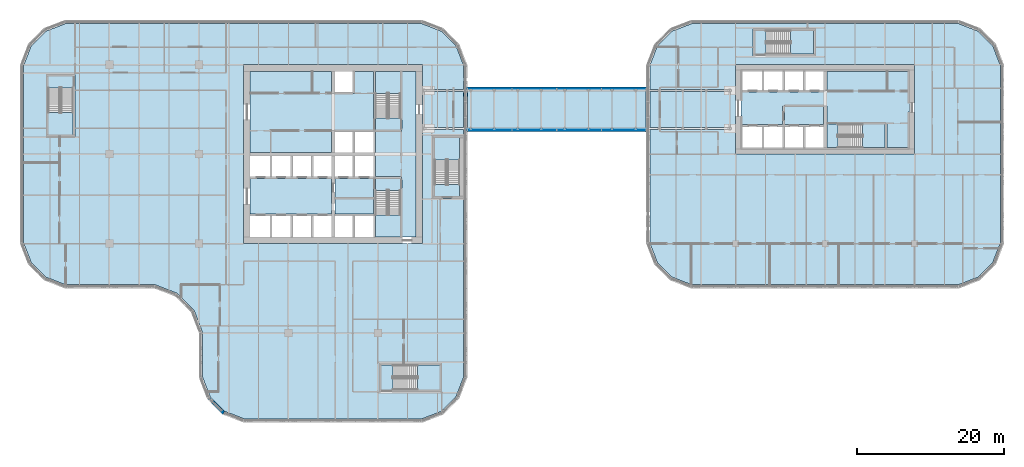
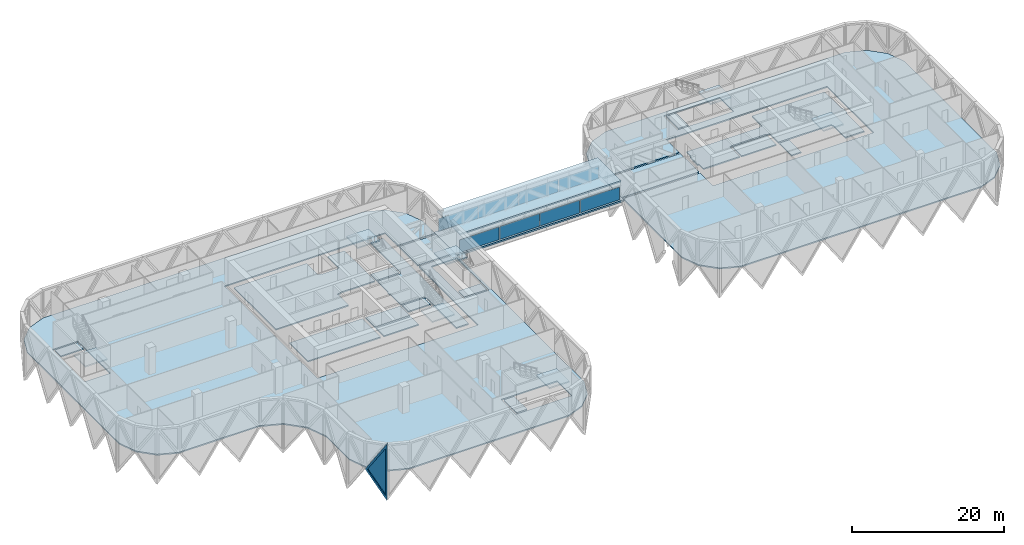
# One storey, part 8 of 30: 27 slabs, 9 plates, 1 wall, 1 opening, 15 elements without a shape of their own.
"""IFC4 building model written with IfcOpenShell, lengths in metres."""

from ifc_helpers import new_model, si_unit, direction, frame, origin, origin_2d, place, context, subcontext, project, spatial, polyline, rectangle, outline, extrude, faceted_brep, source, transform, mapped, material, layer, layer_set, type_object, element, fill, aggregate, save


model = new_model("IFC4")

# Units and contexts
model_context = context("Model", 3, precision=1e-05, world=origin(), true_north=direction((0.0, 1.0)))
body_context = subcontext(model_context, "Body", "Model", "MODEL_VIEW")
ifc_project = project(units=[si_unit("LENGTHUNIT", "METRE"), si_unit("AREAUNIT", "SQUARE_METRE"), si_unit("VOLUMEUNIT", "CUBIC_METRE"), si_unit("PLANEANGLEUNIT", "RADIAN"), si_unit("MASSUNIT", "GRAM", prefix="KILO")], contexts=[model_context])

# Site, building, storey
site_placement = place(None, origin())
site = spatial("IfcSite", under=ifc_project, at=site_placement, CompositionType="ELEMENT")
building_placement = place(site_placement, origin())
building = spatial("IfcBuilding", under=site, at=building_placement, Name="Tessera Gate Towers", CompositionType="ELEMENT")
storey_placement = place(building_placement, frame((0.0, 0.0, 21.300048828125)))
storey = spatial("IfcBuildingStorey", under=building, at=storey_placement, Name="L04", CompositionType="ELEMENT", Elevation=21.300048828125)

# Slabs
ifc_material_1 = material(Name="Concrete C35/45", Category="concrete")
ifc_layer_1 = layer(ifc_material_1, 0.25)
ifc_layer_set_1 = layer_set([ifc_layer_1], Name="BRIDGE ROOF 250")
slab_type_1 = type_object("IfcSlabType", Name="BRIDGE ROOF 250", PredefinedType="ROOF", material=ifc_layer_set_1)
slab_1_placement = place(storey_placement, frame((0.0, 0.0, 3.00390625)))
element("IfcSlab", 1, at=slab_1_placement, inside=storey, type_object=slab_type_1, Name="Bridge roof BR1", PredefinedType="ROOF", context=body_context, shape_type="SweptSolid", body=[
    extrude(outline(polyline([(61.0, 39.64990234375), (85.39990234375, 39.64990234375), (85.39990234375, 45.75), (61.0, 45.75), (61.0, 39.64990234375)])), origin(), (0.0, 0.0, 1.0), 0.25),
])
ifc_material_2 = material(Name="Concrete C35/45", Category="concrete")
ifc_layer_2 = layer(ifc_material_2, 0.199951171875)
ifc_layer_set_2 = layer_set([ifc_layer_2], Name="COMPOSITE FLOOR 200")
slab_type_2 = type_object("IfcSlabType", Name="COMPOSITE FLOOR 200", PredefinedType="FLOOR", material=ifc_layer_set_2)
slab_2_placement = place(storey_placement, frame((0.0, 0.0, -0.199951171875)))
element("IfcSlab", 2, at=slab_2_placement, inside=storey, type_object=slab_type_2, Name="T1-L04", PredefinedType="FLOOR", context=body_context, shape_type="SweptSolid", body=[
    extrude(outline(polyline([(0.5, 24.4931640625), (1.526123046875, 21.8330078125), (3.533203125, 19.826171875), (6.193115234375, 18.800048828125), (18.39306640625, 18.800048828125), (21.42431640625, 17.630615234375), (23.730712890625, 15.32421875), (24.89990234375, 12.293212890625), (24.89990234375, 6.193115234375), (25.926025390625, 3.533203125), (27.93310546875, 1.526123046875), (30.593017578125, 0.5), (54.806884765625, 0.5), (57.466796875, 1.526123046875), (59.473876953125, 3.533203125), (60.5, 6.193115234375), (60.5, 39.948974609375), (54.89990234375, 39.948974609375), (54.89990234375, 24.39990234375), (30.5, 24.39990234375), (30.5, 48.800048828125), (54.89990234375, 48.800048828125), (54.89990234375, 45.450927734375), (60.5, 45.450927734375), (60.5, 48.706787109375), (59.473876953125, 51.366943359375), (57.466796875, 53.373779296875), (54.806884765625, 54.39990234375), (6.193115234375, 54.39990234375), (3.533203125, 53.373779296875), (1.526123046875, 51.366943359375), (0.5, 48.706787109375), (0.5, 24.4931640625)]), holes=[polyline([(3.60009765625, 39.0), (3.60009765625, 47.5), (7.5, 47.5), (7.5, 39.0), (3.60009765625, 39.0)]), polyline([(49.0, 4.199951171875), (49.0, 8.10009765625), (57.5, 8.10009765625), (57.5, 4.199951171875), (49.0, 4.199951171875)]), polyline([(56.300048828125, 30.60009765625), (56.300048828125, 39.10009765625), (60.199951171875, 39.10009765625), (60.199951171875, 30.60009765625), (56.300048828125, 30.60009765625)])]), origin(), (0.0, 0.0, 1.0), 0.199951171875),
])
slab_3_placement = place(storey_placement, frame((0.0, 0.0, -0.199951171875)))
element("IfcSlab", 3, at=slab_3_placement, inside=storey, type_object=slab_type_2, Name="T1-L04-B1", PredefinedType="FLOOR", context=body_context, shape_type="SweptSolid", body=[
    extrude(outline(polyline([(54.89990234375, 40.2509765625), (60.5, 40.2509765625), (60.5, 45.14892578125), (54.89990234375, 45.14892578125), (54.89990234375, 40.2509765625)])), origin(), (0.0, 0.0, 1.0), 0.199951171875),
])
slab_4_placement = place(storey_placement, frame((0.0, 0.0, -0.199951171875)))
element("IfcSlab", 4, at=slab_4_placement, inside=storey, type_object=slab_type_2, Name="T2-L04", PredefinedType="FLOOR", context=body_context, shape_type="SweptSolid", body=[
    extrude(outline(polyline([(85.89990234375, 24.4931640625), (86.926025390625, 21.8330078125), (88.93310546875, 19.826171875), (91.593017578125, 18.800048828125), (128.0068359375, 18.800048828125), (130.6669921875, 19.826171875), (132.673828125, 21.8330078125), (133.699951171875, 24.4931640625), (133.699951171875, 48.706787109375), (132.673828125, 51.366943359375), (130.6669921875, 53.373779296875), (128.0068359375, 54.39990234375), (91.593017578125, 54.39990234375), (88.93310546875, 53.373779296875), (86.926025390625, 51.366943359375), (85.89990234375, 48.706787109375), (85.89990234375, 45.450927734375), (97.60009765625, 45.450927734375), (97.60009765625, 48.800048828125), (122.0, 48.800048828125), (122.0, 36.60009765625), (97.60009765625, 36.60009765625), (97.60009765625, 39.948974609375), (85.89990234375, 39.948974609375), (85.89990234375, 24.4931640625)]), holes=[polyline([(100.0, 50.0), (100.0, 53.699951171875), (108.5, 53.699951171875), (108.5, 50.0), (100.0, 50.0)])]), origin(), (0.0, 0.0, 1.0), 0.199951171875),
])
slab_5_placement = place(storey_placement, frame((0.0, 0.0, -0.199951171875)))
element("IfcSlab", 5, at=slab_5_placement, inside=storey, type_object=slab_type_2, Name="T2-L04-B1", PredefinedType="FLOOR", context=body_context, shape_type="SweptSolid", body=[
    extrude(outline(polyline([(85.89990234375, 40.2509765625), (97.60009765625, 40.2509765625), (97.60009765625, 45.14892578125), (85.89990234375, 45.14892578125), (85.89990234375, 40.2509765625)])), origin(), (0.0, 0.0, 1.0), 0.199951171875),
])
ifc_material_3 = material(Name="Concrete C35/45", Category="concrete")
ifc_layer_3 = layer(ifc_material_3, 0.25)
ifc_layer_set_3 = layer_set([ifc_layer_3], Name="COMPOSITE FLOOR 250")
slab_type_3 = type_object("IfcSlabType", Name="COMPOSITE FLOOR 250", PredefinedType="FLOOR", material=ifc_layer_set_3)
slab_6_placement = place(storey_placement, frame((0.0, 0.0, -0.25)))
element("IfcSlab", 6, at=slab_6_placement, inside=storey, type_object=slab_type_3, Name="BR1 bridge deck", PredefinedType="FLOOR", context=body_context, shape_type="SweptSolid", body=[
    extrude(outline(polyline([(60.5, 39.64990234375), (85.89990234375, 39.64990234375), (85.89990234375, 45.75), (60.5, 45.75), (60.5, 39.64990234375)])), origin(), (0.0, 0.0, 1.0), 0.25),
])
ifc_material_4 = material(Name="Concrete C35/45", Category="concrete")
ifc_layer_4 = layer(ifc_material_4, 0.199951171875)
ifc_layer_set_4 = layer_set([ifc_layer_4], Name="CORE FLOOR SLAB 200")
slab_type_4 = type_object("IfcSlabType", Name="CORE FLOOR SLAB 200", PredefinedType="FLOOR", material=ifc_layer_set_4)
slab_7_placement = place(storey_placement, frame((0.0, 0.0, -0.199951171875)))
element("IfcSlab", 7, at=slab_7_placement, inside=storey, type_object=slab_type_4, Name="L04 core floor slab", PredefinedType="FLOOR", context=body_context, shape_type="SweptSolid", body=[
    extrude(outline(polyline([(31.39990234375, 47.89990234375), (31.39990234375, 36.85009765625), (42.449951171875, 36.85009765625), (42.449951171875, 39.800048828125), (42.949951171875, 39.800048828125), (42.949951171875, 39.925048828125), (48.22509765625, 39.925048828125), (48.22509765625, 47.89990234375), (45.64990234375, 47.89990234375), (45.64990234375, 44.89990234375), (45.39990234375, 44.89990234375), (45.39990234375, 44.77490234375), (42.949951171875, 44.77490234375), (42.949951171875, 44.89990234375), (42.449951171875, 44.89990234375), (42.449951171875, 47.89990234375), (31.39990234375, 47.89990234375)])), origin(), (0.0, 0.0, 1.0), 0.199951171875),
])
slab_8_placement = place(storey_placement, frame((0.0, 0.0, -0.199951171875)))
element("IfcSlab", 8, at=slab_8_placement, inside=storey, type_object=slab_type_4, Name="L04 core floor slab", PredefinedType="FLOOR", context=body_context, shape_type="SweptSolid", body=[
    extrude(outline(polyline([(48.35009765625, 36.85009765625), (48.35009765625, 36.35009765625), (48.47509765625, 36.35009765625), (48.47509765625, 33.52490234375), (52.0, 33.52490234375), (52.0, 33.27490234375), (52.125, 33.27490234375), (52.125, 25.300048828125), (54.0, 25.300048828125), (54.0, 47.89990234375), (52.125, 47.89990234375), (52.125, 39.925048828125), (52.0, 39.925048828125), (52.0, 39.675048828125), (48.47509765625, 39.675048828125), (48.47509765625, 36.85009765625), (48.35009765625, 36.85009765625)])), origin(), (0.0, 0.0, 1.0), 0.199951171875),
])
slab_9_placement = place(storey_placement, frame((0.0, 0.0, -0.199951171875)))
element("IfcSlab", 9, at=slab_9_placement, inside=storey, type_object=slab_type_4, Name="L04 core floor slab", PredefinedType="FLOOR", context=body_context, shape_type="SweptSolid", body=[
    extrude(outline(polyline([(42.449951171875, 28.425048828125), (42.449951171875, 33.27490234375), (31.39990234375, 33.27490234375), (31.39990234375, 28.425048828125), (42.449951171875, 28.425048828125)])), origin(), (0.0, 0.0, 1.0), 0.199951171875),
])
slab_10_placement = place(storey_placement, frame((0.0, 0.0, -0.199951171875)))
element("IfcSlab", 10, at=slab_10_placement, inside=storey, type_object=slab_type_4, Name="L04 core floor slab", PredefinedType="FLOOR", context=body_context, shape_type="SweptSolid", body=[
    extrude(outline(polyline([(42.949951171875, 33.27490234375), (42.949951171875, 30.72509765625), (48.22509765625, 30.72509765625), (48.22509765625, 33.27490234375), (42.949951171875, 33.27490234375)])), origin(), (0.0, 0.0, 1.0), 0.199951171875),
])
slab_11_placement = place(storey_placement, frame((0.0, 0.0, -0.199951171875)))
element("IfcSlab", 11, at=slab_11_placement, inside=storey, type_object=slab_type_4, Name="L04 core floor slab", PredefinedType="FLOOR", context=body_context, shape_type="SweptSolid", body=[
    extrude(outline(polyline([(42.949951171875, 30.47509765625), (42.949951171875, 28.425048828125), (48.22509765625, 28.425048828125), (48.22509765625, 30.47509765625), (42.949951171875, 30.47509765625)])), origin(), (0.0, 0.0, 1.0), 0.199951171875),
])
slab_12_placement = place(storey_placement, frame((0.0, 0.0, -0.199951171875)))
element("IfcSlab", 12, at=slab_12_placement, inside=storey, type_object=slab_type_4, Name="L04 core floor slab", PredefinedType="FLOOR", context=body_context, shape_type="SweptSolid", body=[
    extrude(outline(polyline([(51.875, 31.675048828125), (51.875, 33.27490234375), (48.47509765625, 33.27490234375), (48.47509765625, 31.675048828125), (51.875, 31.675048828125)])), origin(), (0.0, 0.0, 1.0), 0.199951171875),
])
slab_13_placement = place(storey_placement, frame((0.0, 0.0, -0.199951171875)))
element("IfcSlab", 13, at=slab_13_placement, inside=storey, type_object=slab_type_4, Name="L04 core floor slab", PredefinedType="FLOOR", context=body_context, shape_type="SweptSolid", body=[
    extrude(outline(polyline([(48.47509765625, 41.52490234375), (48.47509765625, 39.925048828125), (51.875, 39.925048828125), (51.875, 41.52490234375), (48.47509765625, 41.52490234375)])), origin(), (0.0, 0.0, 1.0), 0.199951171875),
])
slab_14_placement = place(storey_placement, frame((0.0, 0.0, -0.199951171875)))
element("IfcSlab", 14, at=slab_14_placement, inside=storey, type_object=slab_type_4, Name="L04 ST3 floor landing", PredefinedType="FLOOR", context=body_context, shape_type="SweptSolid", body=[
    extrude(outline(polyline([(3.85009765625, 47.25), (3.85009765625, 45.64990234375), (7.25, 45.64990234375), (7.25, 47.25), (3.85009765625, 47.25)])), origin(), (0.0, 0.0, 1.0), 0.199951171875),
])
slab_15_placement = place(storey_placement, frame((0.0, 0.0, -0.199951171875)))
element("IfcSlab", 15, at=slab_15_placement, inside=storey, type_object=slab_type_4, Name="L04 ST4 floor landing", PredefinedType="FLOOR", context=body_context, shape_type="SweptSolid", body=[
    extrude(outline(polyline([(49.25, 4.449951171875), (50.85009765625, 4.449951171875), (50.85009765625, 7.85009765625), (49.25, 7.85009765625), (49.25, 4.449951171875)])), origin(), (0.0, 0.0, 1.0), 0.199951171875),
])
slab_16_placement = place(storey_placement, frame((0.0, 0.0, -0.199951171875)))
element("IfcSlab", 16, at=slab_16_placement, inside=storey, type_object=slab_type_4, Name="L04 ST5 floor landing", PredefinedType="FLOOR", context=body_context, shape_type="SweptSolid", body=[
    extrude(outline(polyline([(59.949951171875, 30.85009765625), (59.949951171875, 32.449951171875), (56.550048828125, 32.449951171875), (56.550048828125, 30.85009765625), (59.949951171875, 30.85009765625)])), origin(), (0.0, 0.0, 1.0), 0.199951171875),
])
slab_17_placement = place(storey_placement, frame((0.0, 0.0, -0.199951171875)))
element("IfcSlab", 17, at=slab_17_placement, inside=storey, type_object=slab_type_4, Name="L04 core floor slab", PredefinedType="FLOOR", context=body_context, shape_type="SweptSolid", body=[
    extrude(outline(polyline([(109.550048828125, 45.199951171875), (109.550048828125, 45.074951171875), (98.5, 45.074951171875), (98.5, 43.89990234375), (98.300048828125, 43.89990234375), (98.300048828125, 41.800048828125), (98.5, 41.800048828125), (98.5, 40.625), (104.02490234375, 40.625), (104.02490234375, 43.199951171875), (104.27490234375, 43.199951171875), (104.27490234375, 43.324951171875), (109.550048828125, 43.324951171875), (109.550048828125, 43.199951171875), (110.050048828125, 43.199951171875), (110.050048828125, 40.949951171875), (118.10009765625, 40.949951171875), (118.10009765625, 40.699951171875), (118.22509765625, 40.699951171875), (118.22509765625, 37.5), (121.10009765625, 37.5), (121.10009765625, 42.35009765625), (121.300048828125, 42.35009765625), (121.300048828125, 43.550048828125), (121.10009765625, 43.550048828125), (121.10009765625, 47.89990234375), (110.050048828125, 47.89990234375), (110.050048828125, 45.199951171875), (109.550048828125, 45.199951171875)])), origin(), (0.0, 0.0, 1.0), 0.199951171875),
])
slab_18_placement = place(storey_placement, frame((0.0, 0.0, -0.199951171875)))
element("IfcSlab", 18, at=slab_18_placement, inside=storey, type_object=slab_type_4, Name="L04 core floor slab", PredefinedType="FLOOR", context=body_context, shape_type="SweptSolid", body=[
    extrude(outline(polyline([(109.550048828125, 43.074951171875), (104.27490234375, 43.074951171875), (104.27490234375, 40.625), (109.550048828125, 40.625), (109.550048828125, 43.074951171875)])), origin(), (0.0, 0.0, 1.0), 0.199951171875),
])
slab_19_placement = place(storey_placement, frame((0.0, 0.0, -0.199951171875)))
element("IfcSlab", 19, at=slab_19_placement, inside=storey, type_object=slab_type_4, Name="L04 core floor slab", PredefinedType="FLOOR", context=body_context, shape_type="SweptSolid", body=[
    extrude(outline(polyline([(111.550048828125, 37.5), (111.550048828125, 40.699951171875), (110.050048828125, 40.699951171875), (110.050048828125, 37.5), (111.550048828125, 37.5)])), origin(), (0.0, 0.0, 1.0), 0.199951171875),
])
slab_20_placement = place(storey_placement, frame((0.0, 0.0, -0.199951171875)))
element("IfcSlab", 20, at=slab_20_placement, inside=storey, type_object=slab_type_4, Name="L04 ST7 floor landing", PredefinedType="FLOOR", context=body_context, shape_type="SweptSolid", body=[
    extrude(outline(polyline([(100.25, 50.25), (101.75, 50.25), (101.75, 53.449951171875), (100.25, 53.449951171875), (100.25, 50.25)])), origin(), (0.0, 0.0, 1.0), 0.199951171875),
])

# Stair, slab
ifc_material_5 = material(Name="Concrete C40/50", Category="concrete")
stair_type_1 = type_object("IfcStairType", Name="EXIT STAIR ST1B 1600", PredefinedType="HALF_TURN_STAIR", material=ifc_material_5)
stair_1_placement = place(storey_placement, origin())
stair_1 = element("IfcStair", 21, at=stair_1_placement, inside=storey, type_object=stair_type_1, Name="L04 Protected Exit Stair ST1", PredefinedType="HALF_TURN_STAIR")
ifc_material_6 = material(Name="Concrete C40/50", Category="concrete")
ifc_layer_5 = layer(ifc_material_6, 0.199951171875)
ifc_layer_set_5 = layer_set([ifc_layer_5], Name="EXIT STAIR LANDING 200")
slab_type_5 = type_object("IfcSlabType", Name="EXIT STAIR LANDING 200", PredefinedType="LANDING", material=ifc_layer_set_5)
slab_21_placement = place(storey_placement, frame((0.0, 0.0, 2.050048828125)))
slab_21 = element("IfcSlab", 22, at=slab_21_placement, type_object=slab_type_5, Name="ST1 landing 1", PredefinedType="LANDING", context=body_context, shape_type="SweptSolid", body=[
    extrude(outline(polyline([(48.47509765625, 28.31494140625), (48.47509765625, 25.300048828125), (51.875, 25.300048828125), (51.875, 28.31494140625), (48.47509765625, 28.31494140625)])), origin(), (0.0, 0.0, 1.0), 0.199951171875),
])
aggregate(stair_1, [slab_21])

ifc_material_7 = material(Name="Concrete C40/50", Category="concrete")
stair_type_2 = type_object("IfcStairType", Name="EXIT STAIR ST2B 1600", PredefinedType="HALF_TURN_STAIR", material=ifc_material_7)
stair_2_placement = place(storey_placement, origin())
stair_2 = element("IfcStair", 23, at=stair_2_placement, inside=storey, type_object=stair_type_2, Name="L04 Protected Exit Stair ST2", PredefinedType="HALF_TURN_STAIR")
slab_22_placement = place(storey_placement, frame((0.0, 0.0, 2.050048828125)))
slab_22 = element("IfcSlab", 24, at=slab_22_placement, type_object=slab_type_5, Name="ST2 landing 1", PredefinedType="LANDING", context=body_context, shape_type="SweptSolid", body=[
    extrude(outline(polyline([(51.875, 44.885009765625), (51.875, 47.89990234375), (48.47509765625, 47.89990234375), (48.47509765625, 44.885009765625), (51.875, 44.885009765625)])), origin(), (0.0, 0.0, 1.0), 0.199951171875),
])
aggregate(stair_2, [slab_22])

ifc_material_8 = material(Name="Concrete C40/50", Category="concrete")
stair_type_3 = type_object("IfcStairType", Name="EXIT STAIR ST3B 1600", PredefinedType="HALF_TURN_STAIR", material=ifc_material_8)
stair_3_placement = place(storey_placement, origin())
stair_3 = element("IfcStair", 25, at=stair_3_placement, inside=storey, type_object=stair_type_3, Name="L04 West Exit Stair ST3", PredefinedType="HALF_TURN_STAIR")
slab_23_placement = place(storey_placement, frame((0.0, 0.0, 2.050048828125)))
slab_23 = element("IfcSlab", 26, at=slab_23_placement, type_object=slab_type_5, Name="ST3 landing 1", PredefinedType="LANDING", context=body_context, shape_type="SweptSolid", body=[
    extrude(outline(polyline([(3.85009765625, 42.2900390625), (3.85009765625, 39.25), (7.25, 39.25), (7.25, 42.2900390625), (3.85009765625, 42.2900390625)])), origin(), (0.0, 0.0, 1.0), 0.199951171875),
])
aggregate(stair_3, [slab_23])

ifc_material_9 = material(Name="Concrete C40/50", Category="concrete")
stair_type_4 = type_object("IfcStairType", Name="EXIT STAIR ST4B 1600", PredefinedType="HALF_TURN_STAIR", material=ifc_material_9)
stair_4_placement = place(storey_placement, origin())
stair_4 = element("IfcStair", 27, at=stair_4_placement, inside=storey, type_object=stair_type_4, Name="L04 South Exit Stair ST4", PredefinedType="HALF_TURN_STAIR")
slab_24_placement = place(storey_placement, frame((0.0, 0.0, 2.050048828125)))
slab_24 = element("IfcSlab", 28, at=slab_24_placement, type_object=slab_type_5, Name="ST4 landing 1", PredefinedType="LANDING", context=body_context, shape_type="SweptSolid", body=[
    extrude(outline(polyline([(54.2099609375, 4.449951171875), (57.25, 4.449951171875), (57.25, 7.85009765625), (54.2099609375, 7.85009765625), (54.2099609375, 4.449951171875)])), origin(), (0.0, 0.0, 1.0), 0.199951171875),
])
aggregate(stair_4, [slab_24])

ifc_material_10 = material(Name="Concrete C40/50", Category="concrete")
stair_type_5 = type_object("IfcStairType", Name="EXIT STAIR ST5B 1600", PredefinedType="HALF_TURN_STAIR", material=ifc_material_10)
stair_5_placement = place(storey_placement, origin())
stair_5 = element("IfcStair", 29, at=stair_5_placement, inside=storey, type_object=stair_type_5, Name="L04 East Exit Stair ST5", PredefinedType="HALF_TURN_STAIR")
slab_25_placement = place(storey_placement, frame((0.0, 0.0, 2.050048828125)))
slab_25 = element("IfcSlab", 30, at=slab_25_placement, type_object=slab_type_5, Name="ST5 landing 1", PredefinedType="LANDING", context=body_context, shape_type="SweptSolid", body=[
    extrude(outline(polyline([(59.949951171875, 35.81005859375), (59.949951171875, 38.85009765625), (56.550048828125, 38.85009765625), (56.550048828125, 35.81005859375), (59.949951171875, 35.81005859375)])), origin(), (0.0, 0.0, 1.0), 0.199951171875),
])
aggregate(stair_5, [slab_25])

ifc_material_11 = material(Name="Concrete C40/50", Category="concrete")
stair_type_6 = type_object("IfcStairType", Name="EXIT STAIR ST6B 1500", PredefinedType="HALF_TURN_STAIR", material=ifc_material_11)
stair_6_placement = place(storey_placement, origin())
stair_6 = element("IfcStair", 31, at=stair_6_placement, inside=storey, type_object=stair_type_6, Name="L04 Protected Exit Stair ST6", PredefinedType="HALF_TURN_STAIR")
slab_26_placement = place(storey_placement, frame((0.0, 0.0, 2.050048828125)))
slab_26 = element("IfcSlab", 32, at=slab_26_placement, type_object=slab_type_5, Name="ST6 landing 1", PredefinedType="LANDING", context=body_context, shape_type="SweptSolid", body=[
    extrude(outline(polyline([(114.909912109375, 37.5), (117.97509765625, 37.5), (117.97509765625, 40.699951171875), (114.909912109375, 40.699951171875), (114.909912109375, 37.5)])), origin(), (0.0, 0.0, 1.0), 0.199951171875),
])
aggregate(stair_6, [slab_26])

ifc_material_12 = material(Name="Concrete C40/50", Category="concrete")
stair_type_7 = type_object("IfcStairType", Name="EXIT STAIR ST7B 1500", PredefinedType="HALF_TURN_STAIR", material=ifc_material_12)
stair_7_placement = place(storey_placement, origin())
stair_7 = element("IfcStair", 33, at=stair_7_placement, inside=storey, type_object=stair_type_7, Name="L04 North Exit Stair ST7", PredefinedType="HALF_TURN_STAIR")
slab_27_placement = place(storey_placement, frame((0.0, 0.0, 2.050048828125)))
slab_27 = element("IfcSlab", 34, at=slab_27_placement, type_object=slab_type_5, Name="ST7 landing 1", PredefinedType="LANDING", context=body_context, shape_type="SweptSolid", body=[
    extrude(outline(polyline([(105.110107421875, 50.25), (108.25, 50.25), (108.25, 53.449951171875), (105.110107421875, 53.449951171875), (105.110107421875, 50.25)])), origin(), (0.0, 0.0, 1.0), 0.199951171875),
])
aggregate(stair_7, [slab_27])

# Curtain wall, plate
ifc_material_13 = material(Name="Aluminium frame", Category="aluminium")
curtain_wall_type = type_object("IfcCurtainWallType", Name="CW-S5 bridge enclosure", PredefinedType="NOTDEFINED", material=ifc_material_13)
curtain_wall_1_placement = place(storey_placement, origin())
curtain_wall_1 = element("IfcCurtainWall", 35, at=curtain_wall_1_placement, inside=storey, type_object=curtain_wall_type, Name="Curtain wall bridge enclosure 0218", PredefinedType="NOTDEFINED")
ifc_material_14 = material(Name="Low-e laminated glass", Category="glass")
ifc_layer_6 = layer(ifc_material_14, 0.030029296875)
ifc_layer_set_6 = layer_set([ifc_layer_6], Name="PN-S5 glass panel 30")
plate_type_1 = type_object("IfcPlateType", Name="PN-S5 glass panel 30", PredefinedType="CURTAIN_PANEL", material=ifc_layer_set_6)
plate_1_placement = place(storey_placement, frame((64.050048828125, 39.89208984375, 0.06005859375), z_axis=(0.0, 0.0, 1.0), x_axis=(1.0, 0.0, 0.0)))
plate_1 = element("IfcPlate", 36, at=plate_1_placement, type_object=plate_type_1, Name="BR1-CW5-0218 panel 1.1", PredefinedType="CURTAIN_PANEL", context=body_context, shape_type="SweptSolid", body=[
    extrude(rectangle(XDim=5.97998046875, YDim=0.030029296875, at=origin_2d()), origin(), (0.0, 0.0, 1.0), 2.049072265625),
])
aggregate(curtain_wall_1, [plate_1])

curtain_wall_2_placement = place(storey_placement, origin())
curtain_wall_2 = element("IfcCurtainWall", 37, at=curtain_wall_2_placement, inside=storey, type_object=curtain_wall_type, Name="Curtain wall bridge enclosure 0219", PredefinedType="NOTDEFINED")
plate_2_placement = place(storey_placement, frame((70.14990234375, 39.89208984375, 0.06005859375), z_axis=(0.0, 0.0, 1.0), x_axis=(1.0, 0.0, 0.0)))
plate_2 = element("IfcPlate", 38, at=plate_2_placement, type_object=plate_type_1, Name="BR1-CW5-0219 panel 1.1", PredefinedType="CURTAIN_PANEL", context=body_context, shape_type="SweptSolid", body=[
    extrude(rectangle(XDim=5.97998046875, YDim=0.030029296875, at=origin_2d()), origin(), (0.0, 0.0, 1.0), 2.049072265625),
])
aggregate(curtain_wall_2, [plate_2])

curtain_wall_3_placement = place(storey_placement, origin())
curtain_wall_3 = element("IfcCurtainWall", 39, at=curtain_wall_3_placement, inside=storey, type_object=curtain_wall_type, Name="Curtain wall bridge enclosure 0220", PredefinedType="NOTDEFINED")
plate_3_placement = place(storey_placement, frame((76.25, 39.89208984375, 0.06005859375), z_axis=(0.0, 0.0, 1.0), x_axis=(1.0, 0.0, 0.0)))
plate_3 = element("IfcPlate", 40, at=plate_3_placement, type_object=plate_type_1, Name="BR1-CW5-0220 panel 1.1", PredefinedType="CURTAIN_PANEL", context=body_context, shape_type="SweptSolid", body=[
    extrude(rectangle(XDim=5.97998046875, YDim=0.030029296875, at=origin_2d()), origin(), (0.0, 0.0, 1.0), 2.049072265625),
])
aggregate(curtain_wall_3, [plate_3])

curtain_wall_4_placement = place(storey_placement, origin())
curtain_wall_4 = element("IfcCurtainWall", 41, at=curtain_wall_4_placement, inside=storey, type_object=curtain_wall_type, Name="Curtain wall bridge enclosure 0221", PredefinedType="NOTDEFINED")
plate_4_placement = place(storey_placement, frame((82.35009765625, 39.89208984375, 0.06005859375), z_axis=(0.0, 0.0, 1.0), x_axis=(1.0, 0.0, 0.0)))
plate_4 = element("IfcPlate", 42, at=plate_4_placement, type_object=plate_type_1, Name="BR1-CW5-0221 panel 1.1", PredefinedType="CURTAIN_PANEL", context=body_context, shape_type="SweptSolid", body=[
    extrude(rectangle(XDim=5.97998046875, YDim=0.030029296875, at=origin_2d()), origin(), (0.0, 0.0, 1.0), 2.049072265625),
])
aggregate(curtain_wall_4, [plate_4])

curtain_wall_5_placement = place(storey_placement, origin())
curtain_wall_5 = element("IfcCurtainWall", 43, at=curtain_wall_5_placement, inside=storey, type_object=curtain_wall_type, Name="Curtain wall bridge enclosure 0222", PredefinedType="NOTDEFINED")
plate_5_placement = place(storey_placement, frame((64.050048828125, 45.508056640625, 0.06005859375), z_axis=(0.0, 0.0, 1.0), x_axis=(1.0, 0.0, 0.0)))
plate_5 = element("IfcPlate", 44, at=plate_5_placement, type_object=plate_type_1, Name="BR1-CW5-0222 panel 1.1", PredefinedType="CURTAIN_PANEL", context=body_context, shape_type="SweptSolid", body=[
    extrude(rectangle(XDim=5.97998046875, YDim=0.030029296875, at=origin_2d()), origin(), (0.0, 0.0, 1.0), 2.049072265625),
])
aggregate(curtain_wall_5, [plate_5])

curtain_wall_6_placement = place(storey_placement, origin())
curtain_wall_6 = element("IfcCurtainWall", 45, at=curtain_wall_6_placement, inside=storey, type_object=curtain_wall_type, Name="Curtain wall bridge enclosure 0223", PredefinedType="NOTDEFINED")
plate_6_placement = place(storey_placement, frame((70.14990234375, 45.508056640625, 0.06005859375), z_axis=(0.0, 0.0, 1.0), x_axis=(1.0, 0.0, 0.0)))
plate_6 = element("IfcPlate", 46, at=plate_6_placement, type_object=plate_type_1, Name="BR1-CW5-0223 panel 1.1", PredefinedType="CURTAIN_PANEL", context=body_context, shape_type="SweptSolid", body=[
    extrude(rectangle(XDim=5.97998046875, YDim=0.030029296875, at=origin_2d()), origin(), (0.0, 0.0, 1.0), 2.049072265625),
])
aggregate(curtain_wall_6, [plate_6])

curtain_wall_7_placement = place(storey_placement, origin())
curtain_wall_7 = element("IfcCurtainWall", 47, at=curtain_wall_7_placement, inside=storey, type_object=curtain_wall_type, Name="Curtain wall bridge enclosure 0224", PredefinedType="NOTDEFINED")
plate_7_placement = place(storey_placement, frame((76.25, 45.508056640625, 0.06005859375), z_axis=(0.0, 0.0, 1.0), x_axis=(1.0, 0.0, 0.0)))
plate_7 = element("IfcPlate", 48, at=plate_7_placement, type_object=plate_type_1, Name="BR1-CW5-0224 panel 1.1", PredefinedType="CURTAIN_PANEL", context=body_context, shape_type="SweptSolid", body=[
    extrude(rectangle(XDim=5.97998046875, YDim=0.030029296875, at=origin_2d()), origin(), (0.0, 0.0, 1.0), 2.049072265625),
])
aggregate(curtain_wall_7, [plate_7])

curtain_wall_8_placement = place(storey_placement, origin())
curtain_wall_8 = element("IfcCurtainWall", 49, at=curtain_wall_8_placement, inside=storey, type_object=curtain_wall_type, Name="Curtain wall bridge enclosure 0225", PredefinedType="NOTDEFINED")
plate_8_placement = place(storey_placement, frame((82.35009765625, 45.508056640625, 0.06005859375), z_axis=(0.0, 0.0, 1.0), x_axis=(1.0, 0.0, 0.0)))
plate_8 = element("IfcPlate", 50, at=plate_8_placement, type_object=plate_type_1, Name="BR1-CW5-0225 panel 1.1", PredefinedType="CURTAIN_PANEL", context=body_context, shape_type="SweptSolid", body=[
    extrude(rectangle(XDim=5.97998046875, YDim=0.030029296875, at=origin_2d()), origin(), (0.0, 0.0, 1.0), 2.049072265625),
])
aggregate(curtain_wall_8, [plate_8])

# Wall, opening, plate
ifc_material_15 = material(Name="Precast concrete C60/75 white", Category="concrete")
ifc_layer_7 = layer(ifc_material_15, 0.5)
ifc_layer_set_7 = layer_set([ifc_layer_7], Name="TS3 corner tessera")
wall_type = type_object("IfcWallType", Name="TS3 corner tessera", PredefinedType="SOLIDWALL", material=ifc_layer_set_7)
shared_shape_1 = source(origin(), body_context, "Body", "Brep", [
    faceted_brep([(2.944091796875, -0.25, 0.0), (2.9970703125, -0.25, 0.080810546875), (2.9970703125, -0.25, 8.919189453125), (2.944091796875, -0.25, 9.0), (0.0, -0.25, 4.5), (0.052978515625, 0.25, 4.580810546875), (2.89111328125, 0.25, 8.919189453125), (2.89111328125, 0.25, 0.080810546875), (0.052978515625, 0.25, 4.419189453125), (2.944091796875, 0.000244140625, 0.0), (2.944091796875, 0.000244140625, 9.0), (0.0, 0.0, 4.5)], [[[0, 1, 2, 3, 4]], [[5, 6, 7, 8]], [[1, 0, 9]], [[10, 3, 2]], [[6, 5, 11, 4, 3, 10]], [[8, 7, 9, 0, 4, 11]], [[8, 11, 5]], [[1, 9, 7, 6, 10, 2]]]),
])
wall_placement = place(storey_placement, frame((25.7119140625, 3.393798828125, -4.5), z_axis=(0.0, 0.0, 1.0), x_axis=(0.707066050402, -0.707147509625, 0.0)))
wall = element("IfcWall", 51, at=wall_placement, inside=storey, type_object=wall_type, Name="Precast corner tessera T1 TS3-0047", PredefinedType="SOLIDWALL", context=body_context, shape_type="MappedRepresentation", body=[
    mapped(shared_shape_1, transform((0.0, 0.0, 0.0), scale=1.0)),
])
shared_shape_2 = source(origin(), body_context, "Body", "SweptSolid", [
    extrude(outline(polyline([(2.744140625, 8.237548828125), (0.298828125, 4.5), (2.744140625, 0.76220703125), (2.744140625, 8.237548828125)])), frame((0.0, 0.260009765625, 0.0), z_axis=(0.0, -1.0, 0.0), x_axis=(1.0, 0.0, 0.0)), (0.0, 0.0, 1.0), 0.52001953125),
])
opening_placement = place(wall_placement, origin())
opening = element("IfcOpeningElement", 52, at=opening_placement, cuts=wall, Name="Opening T1-PL2-0045", PredefinedType="OPENING", context=body_context, shape_type="MappedRepresentation", body=[
    mapped(shared_shape_2, transform((0.0, 0.0, 0.0), scale=1.0)),
])
ifc_material_16 = material(Name="Low-e laminated glass", Category="glass")
ifc_layer_8 = layer(ifc_material_16, 0.06005859375)
ifc_layer_set_8 = layer_set([ifc_layer_8], Name="PL2 rhombic pane")
plate_type_2 = type_object("IfcPlateType", Name="PL2 rhombic pane", PredefinedType="SHEET", material=ifc_layer_set_8)
shared_shape_3 = source(origin(), body_context, "Body", "SweptSolid", [
    extrude(outline(polyline([(2.744140625, 8.237548828125), (0.298828125, 4.5), (2.744140625, 0.76220703125), (2.744140625, 8.237548828125)])), frame((0.0, 0.030029296875, 0.0), z_axis=(0.0, -1.0, 0.0), x_axis=(1.0, 0.0, 0.0)), (0.0, 0.0, 1.0), 0.06005859375),
])
plate_9_placement = place(opening_placement, origin())
plate_9 = element("IfcPlate", 53, at=plate_9_placement, inside=storey, type_object=plate_type_2, Name="Glass pane T1 PL2-0045", PredefinedType="SHEET", context=body_context, shape_type="MappedRepresentation", body=[
    mapped(shared_shape_3, transform((0.0, 0.0, 0.0), scale=1.0)),
])
fill(opening, plate_9)

save(model, "model.ifc")
